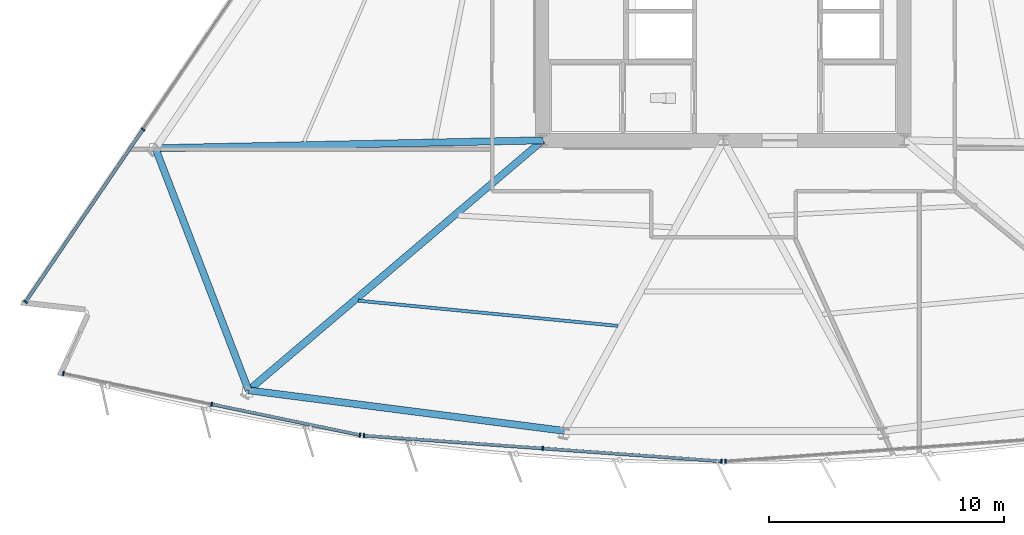
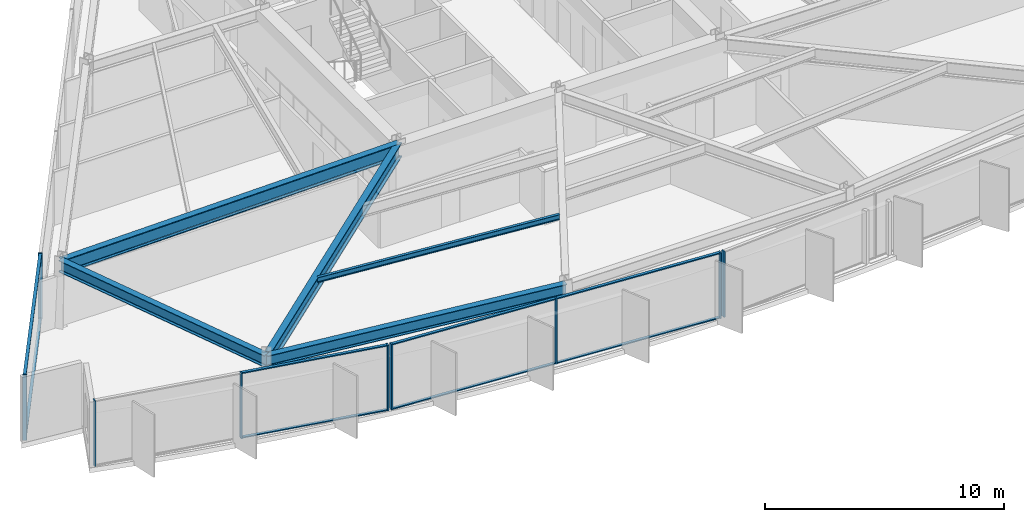
# One storey, part 2 of 16: 17 members, 5 beams, 4 elements without a shape of their own.
"""IFC4 building model written with IfcOpenShell, lengths in metres."""

from ifc_helpers import new_model, si_unit, direction, frame, origin, origin_2d, place, context, subcontext, project, spatial, rectangle, i_section, extrude, material, material_profile, profile_set, type_object, element, aggregate, save


model = new_model("IFC4")

# Units and contexts
model_context = context("Model", 3, precision=1e-05, world=origin(), true_north=direction((0.0, 1.0)))
body_context = subcontext(model_context, "Body", "Model", "MODEL_VIEW")
ifc_project = project(units=[si_unit("LENGTHUNIT", "METRE"), si_unit("AREAUNIT", "SQUARE_METRE"), si_unit("VOLUMEUNIT", "CUBIC_METRE"), si_unit("PLANEANGLEUNIT", "RADIAN"), si_unit("MASSUNIT", "GRAM", prefix="KILO")], contexts=[model_context])

# Site, building, storey
site_placement = place(None, origin())
site = spatial("IfcSite", under=ifc_project, at=site_placement, CompositionType="ELEMENT")
building_placement = place(site_placement, origin())
building = spatial("IfcBuilding", under=site, at=building_placement, Name="Savorim Split Tower", CompositionType="ELEMENT")
storey_placement = place(building_placement, frame((0.0, 0.0, 30.0)))
storey = spatial("IfcBuildingStorey", under=building, at=storey_placement, Name="L07", CompositionType="ELEMENT", Elevation=30.0)

# Beams
ifc_material_1 = material(Name="Steel S355", Category="steel")
ifc_material_profile_1 = material_profile(ifc_material_1, i_section(OverallWidth=0.135009765625, OverallDepth=0.27001953125, WebThickness=0.006591796875, FlangeThickness=0.01025390625, FilletRadius=0.014892578125, at=origin_2d()), Name="IPE 270")
ifc_profile_set_1 = profile_set([ifc_material_profile_1], Name="Steel S355")
beam_type_1 = type_object("IfcBeamType", Name="BM-JST-IPE270", PredefinedType="JOIST", material=ifc_profile_set_1)
beam_1_placement = place(storey_placement, frame((-15.563720703125, -16.232421875, 3.215087890625), z_axis=(0.995319668958, -0.096637242231, 0.0), x_axis=(0.096637242231, 0.995319668958, 0.0)))
element("IfcBeam", 1, at=beam_1_placement, inside=storey, type_object=beam_type_1, Name="L07 Secondary Floor Joist JS-01", PredefinedType="JOIST", context=body_context, shape_type="SweptSolid", body=[
    extrude(i_section(OverallWidth=0.135009765625, OverallDepth=0.27001953125, WebThickness=0.006591796875, FlangeThickness=0.01025390625, FilletRadius=0.014892578125, at=origin_2d()), origin(), (0.0, 0.0, 1.0), 11.115966796875),
])
ifc_material_2 = material(Name="Steel S460", Category="steel")
ifc_material_profile_2 = material_profile(ifc_material_2, i_section(OverallWidth=0.303955078125, OverallDepth=0.716064453125, WebThickness=0.02099609375, FlangeThickness=0.0400390625, FilletRadius=0.027099609375, at=origin_2d()), Name="HE 700 M")
ifc_profile_set_2 = profile_set([ifc_material_profile_2], Name="Steel S460")
beam_type_2 = type_object("IfcBeamType", Name="BM-PRI-HEM700", PredefinedType="BEAM", material=ifc_profile_set_2)
beam_2_placement = place(storey_placement, frame((-20.236083984375, -20.05126953125, 2.991943359375), z_axis=(0.762069664271, 0.647495039979, 0.0), x_axis=(-0.647495039979, 0.762069664271, 0.0)))
element("IfcBeam", 2, at=beam_2_placement, inside=storey, type_object=beam_type_2, Name="L07 Primary Floor Girder RG-01", PredefinedType="BEAM", context=body_context, shape_type="SweptSolid", body=[
    extrude(i_section(OverallWidth=0.303955078125, OverallDepth=0.716064453125, WebThickness=0.02099609375, FlangeThickness=0.0400390625, FilletRadius=0.027099609375, at=origin_2d()), origin(), (0.0, 0.0, 1.0), 16.4501953125),
])
beam_3_placement = place(storey_placement, frame((-24.203369140625, -9.739013671875, 2.991943359375), z_axis=(0.999788957801, 0.020543608722, 0.0), x_axis=(-0.020543608722, 0.999788957801, 0.0)))
element("IfcBeam", 3, at=beam_3_placement, inside=storey, type_object=beam_type_2, Name="L07 Primary Floor Girder RG-10", PredefinedType="BEAM", context=body_context, shape_type="SweptSolid", body=[
    extrude(i_section(OverallWidth=0.303955078125, OverallDepth=0.716064453125, WebThickness=0.02099609375, FlangeThickness=0.0400390625, FilletRadius=0.027099609375, at=origin_2d()), origin(), (0.0, 0.0, 1.0), 16.5068359375),
])
ifc_material_profile_3 = material_profile(ifc_material_1, i_section(OverallWidth=0.300048828125, OverallDepth=0.590087890625, WebThickness=0.012939453125, FlangeThickness=0.02490234375, FilletRadius=0.027099609375, at=origin_2d()), Name="HEA 600")
ifc_profile_set_3 = profile_set([ifc_material_profile_3], Name="Steel S355")
beam_type_3 = type_object("IfcBeamType", Name="BM-SPN-HEA600", PredefinedType="SPANDREL", material=ifc_profile_set_3)
beam_4_placement = place(storey_placement, frame((-20.236083984375, -20.05126953125, 3.054931640625), z_axis=(0.99185923852, -0.12733911796, 0.0), x_axis=(0.12733911796, 0.99185923852, 0.0)))
element("IfcBeam", 4, at=beam_4_placement, inside=storey, type_object=beam_type_3, Name="L07 Perimeter Spandrel Beam 1", PredefinedType="SPANDREL", context=body_context, shape_type="SweptSolid", body=[
    extrude(i_section(OverallWidth=0.300048828125, OverallDepth=0.590087890625, WebThickness=0.012939453125, FlangeThickness=0.02490234375, FilletRadius=0.027099609375, at=origin_2d()), origin(), (0.0, 0.0, 1.0), 13.564453125),
])
beam_5_placement = place(storey_placement, frame((-24.203369140625, -9.739013671875, 3.054931640625), z_axis=(0.359060514348, -0.933314280956, 0.0), x_axis=(0.933314280956, 0.359060514348, 0.0)))
element("IfcBeam", 5, at=beam_5_placement, inside=storey, type_object=beam_type_3, Name="L07 Perimeter Spandrel Beam 10", PredefinedType="SPANDREL", context=body_context, shape_type="SweptSolid", body=[
    extrude(i_section(OverallWidth=0.300048828125, OverallDepth=0.590087890625, WebThickness=0.012939453125, FlangeThickness=0.02490234375, FilletRadius=0.027099609375, at=origin_2d()), origin(), (0.0, 0.0, 1.0), 11.049072265625),
])

# Curtain wall, members
ifc_material_3 = material(Name="Dark Ceramic-Fritted Insulated Glass", Category="glass")
curtain_wall_type = type_object("IfcCurtainWallType", Name="CW-TWR-FRIT-A", PredefinedType="NOTDEFINED", material=ifc_material_3)
curtain_wall_1_placement = place(storey_placement, origin())
curtain_wall_1 = element("IfcCurtainWall", 6, at=curtain_wall_1_placement, inside=storey, type_object=curtain_wall_type, Name="L07 Curtain Wall CW-L07-SF1", PredefinedType="NOTDEFINED")
ifc_material_4 = material(Name="Charcoal Anodised Aluminium", Category="aluminium")
ifc_material_profile_4 = material_profile(ifc_material_4, rectangle(XDim=0.179931640625, YDim=0.06494140625, at=origin_2d()), Name="ALU-M 180x65")
ifc_profile_set_4 = profile_set([ifc_material_profile_4], Name="Charcoal Anodised Aluminium")
member_type_1 = type_object("IfcMemberType", Name="CWM-180x65", PredefinedType="MULLION", material=ifc_profile_set_4)
member_1_placement = place(storey_placement, frame((-28.12841796875, -19.333740234375, 0.0), z_axis=(0.0, 0.0, 1.0), x_axis=(0.203210322793, 0.979135110549, 0.0)))
member_1 = element("IfcMember", 7, at=member_1_placement, type_object=member_type_1, Name="CW-02 mullion 1", PredefinedType="MULLION", context=body_context, shape_type="SweptSolid", body=[
    extrude(rectangle(XDim=0.179931640625, YDim=0.06494140625, at=origin_2d()), origin(), (0.0, 0.0, 1.0), 3.35009765625),
])
member_2_placement = place(storey_placement, frame((-21.807861328125, -20.6455078125, 0.0), z_axis=(0.0, 0.0, 1.0), x_axis=(0.203210322793, 0.979135110549, 0.0)))
member_2 = element("IfcMember", 8, at=member_2_placement, type_object=member_type_1, Name="CW-02 mullion 2", PredefinedType="MULLION", context=body_context, shape_type="SweptSolid", body=[
    extrude(rectangle(XDim=0.179931640625, YDim=0.06494140625, at=origin_2d()), origin(), (0.0, 0.0, 1.0), 3.35009765625),
])
member_3_placement = place(storey_placement, frame((-15.487548828125, -21.957275390625, 0.0), z_axis=(0.0, 0.0, 1.0), x_axis=(0.203210322793, 0.979135110549, 0.0)))
member_3 = element("IfcMember", 9, at=member_3_placement, type_object=member_type_1, Name="CW-02 mullion 3", PredefinedType="MULLION", context=body_context, shape_type="SweptSolid", body=[
    extrude(rectangle(XDim=0.179931640625, YDim=0.06494140625, at=origin_2d()), origin(), (0.0, 0.0, 1.0), 3.35009765625),
])

curtain_wall_2_placement = place(storey_placement, origin())
curtain_wall_2 = element("IfcCurtainWall", 10, at=curtain_wall_2_placement, inside=storey, type_object=curtain_wall_type, Name="L07 Curtain Wall CW-L07-SF2", PredefinedType="NOTDEFINED")
member_4_placement = place(storey_placement, frame((-15.320556640625, -21.98046875, 0.0), z_axis=(0.0, 0.0, 1.0), x_axis=(0.071560199658, 0.997436282589, 0.0)))
member_4 = element("IfcMember", 11, at=member_4_placement, type_object=member_type_1, Name="CW-02 mullion 1", PredefinedType="MULLION", context=body_context, shape_type="SweptSolid", body=[
    extrude(rectangle(XDim=0.179931640625, YDim=0.06494140625, at=origin_2d()), origin(), (0.0, 0.0, 1.0), 3.35009765625),
])
member_5_placement = place(storey_placement, frame((-7.7021484375, -22.527099609375, 0.0), z_axis=(0.0, 0.0, 1.0), x_axis=(0.071560199658, 0.997436282589, 0.0)))
member_5 = element("IfcMember", 12, at=member_5_placement, type_object=member_type_1, Name="CW-02 mullion 2", PredefinedType="MULLION", context=body_context, shape_type="SweptSolid", body=[
    extrude(rectangle(XDim=0.179931640625, YDim=0.06494140625, at=origin_2d()), origin(), (0.0, 0.0, 1.0), 3.35009765625),
])
member_6_placement = place(storey_placement, frame((-0.083740234375, -23.07373046875, 0.0), z_axis=(0.0, 0.0, 1.0), x_axis=(0.071560199658, 0.997436282589, 0.0)))
member_6 = element("IfcMember", 13, at=member_6_placement, type_object=member_type_1, Name="CW-02 mullion 3", PredefinedType="MULLION", context=body_context, shape_type="SweptSolid", body=[
    extrude(rectangle(XDim=0.179931640625, YDim=0.06494140625, at=origin_2d()), origin(), (0.0, 0.0, 1.0), 3.35009765625),
])

# Curtain wall, member
curtain_wall_3_placement = place(storey_placement, origin())
curtain_wall_3 = element("IfcCurtainWall", 14, at=curtain_wall_3_placement, inside=storey, type_object=curtain_wall_type, Name="L07 Curtain Wall CW-L07-SF3", PredefinedType="NOTDEFINED")
member_7_placement = place(storey_placement, frame((0.083740234375, -23.07373046875, 0.0), z_axis=(0.0, 0.0, 1.0), x_axis=(-0.071560199658, 0.997436282589, 0.0)))
member_7 = element("IfcMember", 15, at=member_7_placement, type_object=member_type_1, Name="CW-02 mullion 1", PredefinedType="MULLION", context=body_context, shape_type="SweptSolid", body=[
    extrude(rectangle(XDim=0.179931640625, YDim=0.06494140625, at=origin_2d()), origin(), (0.0, 0.0, 1.0), 3.35009765625),
])
aggregate(curtain_wall_3, [member_7])

# Curtain wall, members
curtain_wall_4_placement = place(storey_placement, origin())
curtain_wall_4 = element("IfcCurtainWall", 16, at=curtain_wall_4_placement, inside=storey, type_object=curtain_wall_type, Name="L07 Curtain Wall CW-L07-WEST", PredefinedType="NOTDEFINED")
member_8_placement = place(storey_placement, frame((-24.735107421875, -8.93408203125, 0.0), z_axis=(0.0, 0.0, 1.0), x_axis=(0.826820923165, -0.562465253164, 0.0)))
member_8 = element("IfcMember", 17, at=member_8_placement, type_object=member_type_1, Name="CW-02 mullion 4", PredefinedType="MULLION", context=body_context, shape_type="SweptSolid", body=[
    extrude(rectangle(XDim=0.179931640625, YDim=0.06494140625, at=origin_2d()), origin(), (0.0, 0.0, 1.0), 3.35009765625),
])
member_9_placement = place(storey_placement, frame((-29.73388671875, -16.2822265625, 0.0), z_axis=(0.0, 0.0, 1.0), x_axis=(0.826820923165, -0.562465253164, 0.0)))
member_9 = element("IfcMember", 18, at=member_9_placement, type_object=member_type_1, Name="CW-02 mullion 5", PredefinedType="MULLION", context=body_context, shape_type="SweptSolid", body=[
    extrude(rectangle(XDim=0.179931640625, YDim=0.06494140625, at=origin_2d()), origin(), (0.0, 0.0, 1.0), 3.35009765625),
])

# Member
ifc_material_profile_5 = material_profile(ifc_material_4, rectangle(XDim=0.139892578125, YDim=0.054931640625, at=origin_2d()), Name="ALU-T 140x55")
ifc_profile_set_5 = profile_set([ifc_material_profile_5], Name="Charcoal Anodised Aluminium")
member_type_2 = type_object("IfcMemberType", Name="CWT-140x55", PredefinedType="USERDEFINED", material=ifc_profile_set_5)
member_10_placement = place(storey_placement, frame((-21.776123046875, -20.652099609375, 0.027587890625), z_axis=(0.979133980901, -0.203215765741, 0.0), x_axis=(0.203215765741, 0.979133980901, 0.0)))
member_10 = element("IfcMember", 19, at=member_10_placement, type_object=member_type_2, Name="CW-02 transom 2.1", ObjectType="TRANSOM", PredefinedType="USERDEFINED", context=body_context, shape_type="SweptSolid", body=[
    extrude(rectangle(XDim=0.139892578125, YDim=0.054931640625, at=origin_2d()), origin(), (0.0, 0.0, 1.0), 6.39013671875),
])

member_11_placement = place(storey_placement, frame((-21.776123046875, -20.652099609375, 3.322509765625), z_axis=(0.979133980901, -0.203215765741, 0.0), x_axis=(0.203215765741, 0.979133980901, 0.0)))
member_11 = element("IfcMember", 20, at=member_11_placement, type_object=member_type_2, Name="CW-02 transom 2.2", ObjectType="TRANSOM", PredefinedType="USERDEFINED", context=body_context, shape_type="SweptSolid", body=[
    extrude(rectangle(XDim=0.139892578125, YDim=0.054931640625, at=origin_2d()), origin(), (0.0, 0.0, 1.0), 6.39013671875),
])

aggregate(curtain_wall_1, [member_1, member_2, member_3, member_10, member_11])

member_12_placement = place(storey_placement, frame((-15.2880859375, -21.98291015625, 0.027587890625), z_axis=(0.997437873969, -0.071538014879, 0.0), x_axis=(0.071538014879, 0.997437873969, 0.0)))
member_12 = element("IfcMember", 21, at=member_12_placement, type_object=member_type_2, Name="CW-02 transom 1.1", ObjectType="TRANSOM", PredefinedType="USERDEFINED", context=body_context, shape_type="SweptSolid", body=[
    extrude(rectangle(XDim=0.139892578125, YDim=0.054931640625, at=origin_2d()), origin(), (0.0, 0.0, 1.0), 7.57275390625),
])

member_13_placement = place(storey_placement, frame((-15.2880859375, -21.98291015625, 3.322509765625), z_axis=(0.997437873969, -0.071538014879, 0.0), x_axis=(0.071538014879, 0.997437873969, 0.0)))
member_13 = element("IfcMember", 22, at=member_13_placement, type_object=member_type_2, Name="CW-02 transom 1.2", ObjectType="TRANSOM", PredefinedType="USERDEFINED", context=body_context, shape_type="SweptSolid", body=[
    extrude(rectangle(XDim=0.139892578125, YDim=0.054931640625, at=origin_2d()), origin(), (0.0, 0.0, 1.0), 7.57275390625),
])

member_14_placement = place(storey_placement, frame((-7.669677734375, -22.529541015625, 0.027587890625), z_axis=(0.997437873969, -0.071538014879, 0.0), x_axis=(0.071538014879, 0.997437873969, 0.0)))
member_14 = element("IfcMember", 23, at=member_14_placement, type_object=member_type_2, Name="CW-02 transom 2.1", ObjectType="TRANSOM", PredefinedType="USERDEFINED", context=body_context, shape_type="SweptSolid", body=[
    extrude(rectangle(XDim=0.139892578125, YDim=0.054931640625, at=origin_2d()), origin(), (0.0, 0.0, 1.0), 7.57275390625),
])

member_15_placement = place(storey_placement, frame((-7.669677734375, -22.529541015625, 3.322509765625), z_axis=(0.997437873969, -0.071538014879, 0.0), x_axis=(0.071538014879, 0.997437873969, 0.0)))
member_15 = element("IfcMember", 24, at=member_15_placement, type_object=member_type_2, Name="CW-02 transom 2.2", ObjectType="TRANSOM", PredefinedType="USERDEFINED", context=body_context, shape_type="SweptSolid", body=[
    extrude(rectangle(XDim=0.139892578125, YDim=0.054931640625, at=origin_2d()), origin(), (0.0, 0.0, 1.0), 7.57275390625),
])

aggregate(curtain_wall_2, [member_4, member_5, member_6, member_12, member_13, member_14, member_15])

member_16_placement = place(storey_placement, frame((-24.75341796875, -8.9609375, 0.027587890625), z_axis=(-0.562460641037, -0.826824060659, 0.0), x_axis=(0.826824060659, -0.562460641037, 0.0)))
member_16 = element("IfcMember", 25, at=member_16_placement, type_object=member_type_2, Name="CW-02 transom 4.1", ObjectType="TRANSOM", PredefinedType="USERDEFINED", context=body_context, shape_type="SweptSolid", body=[
    extrude(rectangle(XDim=0.139892578125, YDim=0.054931640625, at=origin_2d()), origin(), (0.0, 0.0, 1.0), 8.822265625),
])

member_17_placement = place(storey_placement, frame((-24.75341796875, -8.9609375, 3.322509765625), z_axis=(-0.562460641037, -0.826824060659, 0.0), x_axis=(0.826824060659, -0.562460641037, 0.0)))
member_17 = element("IfcMember", 26, at=member_17_placement, type_object=member_type_2, Name="CW-02 transom 4.2", ObjectType="TRANSOM", PredefinedType="USERDEFINED", context=body_context, shape_type="SweptSolid", body=[
    extrude(rectangle(XDim=0.139892578125, YDim=0.054931640625, at=origin_2d()), origin(), (0.0, 0.0, 1.0), 8.822265625),
])

aggregate(curtain_wall_4, [member_8, member_9, member_16, member_17])

save(model, "model.ifc")
